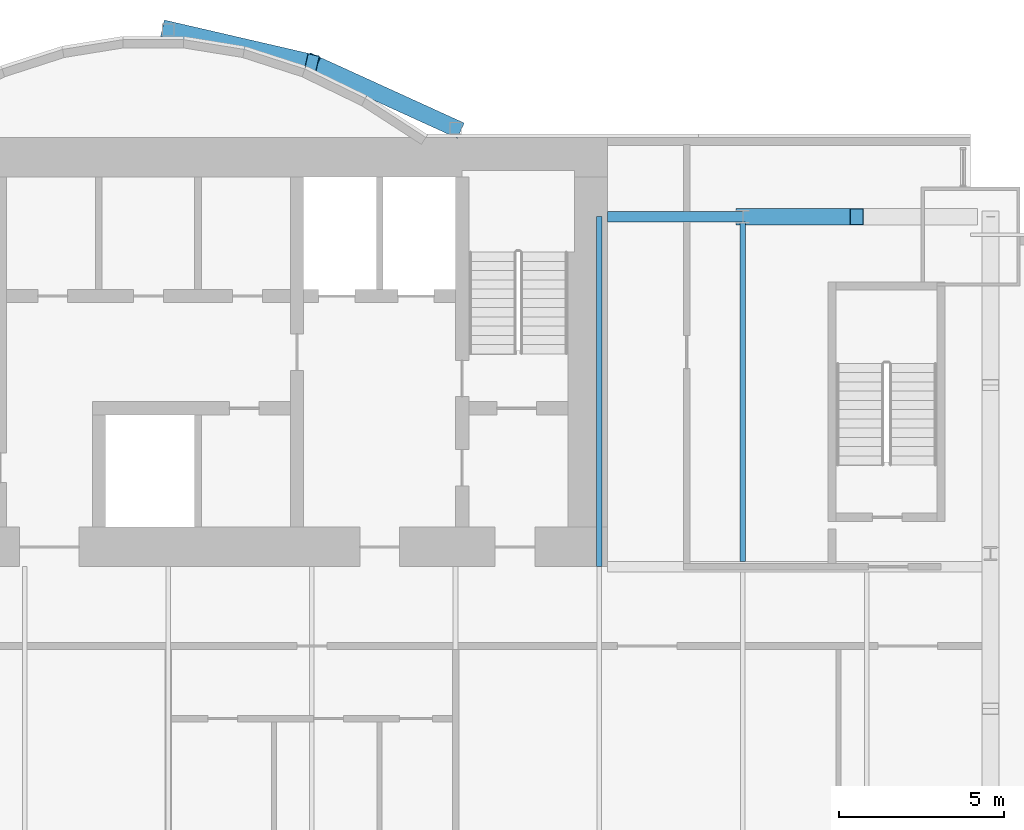
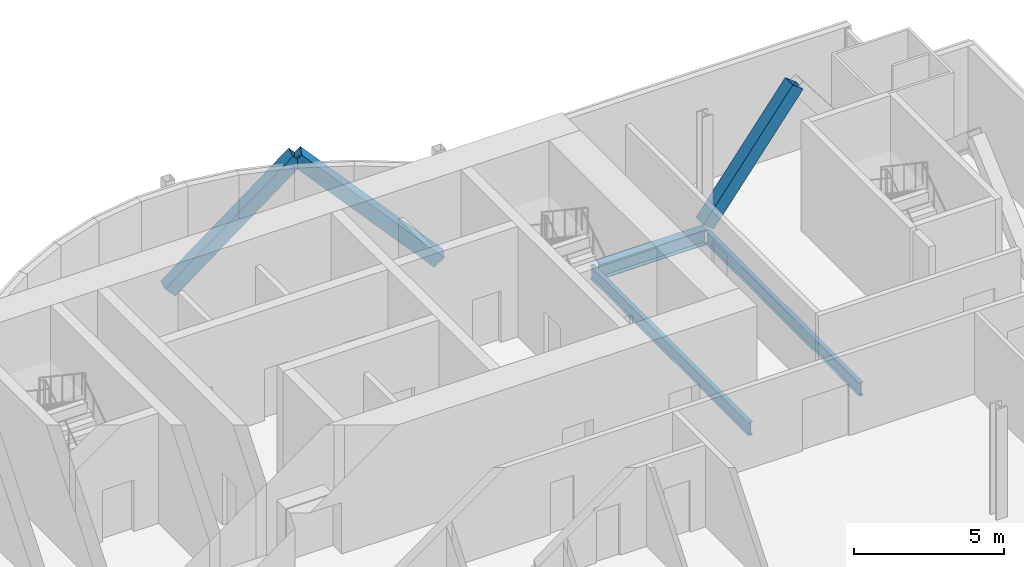
# One storey, part 11 of 21: 3 beams, 3 members.
"""IFC4 building model written with IfcOpenShell, lengths in metres."""

from ifc_helpers import new_model, si_unit, direction, frame, origin, origin_2d, place, context, subcontext, project, spatial, hollow_rectangle, i_section, extrude, material, material_profile, profile_set, type_object, element, save


model = new_model("IFC4")

# Units and contexts
model_context = context("Model", 3, precision=1e-05, world=origin(), true_north=direction((0.0, 1.0)))
body_context = subcontext(model_context, "Body", "Model", "MODEL_VIEW")
ifc_project = project(units=[si_unit("LENGTHUNIT", "METRE"), si_unit("AREAUNIT", "SQUARE_METRE"), si_unit("VOLUMEUNIT", "CUBIC_METRE"), si_unit("PLANEANGLEUNIT", "RADIAN"), si_unit("MASSUNIT", "GRAM", prefix="KILO")], contexts=[model_context])

# Site, building, storey
site_placement = place(None, origin())
site = spatial("IfcSite", under=ifc_project, at=site_placement, CompositionType="ELEMENT")
building_placement = place(site_placement, origin())
building = spatial("IfcBuilding", under=site, at=building_placement, Name="Bicima Exchange Tower", CompositionType="ELEMENT")
storey_placement = place(building_placement, frame((0.0, 0.0, 75.5)))
storey = spatial("IfcBuildingStorey", under=building, at=storey_placement, Name="L15", CompositionType="ELEMENT", Elevation=75.5)

# Beams
ifc_material_1 = material(Name="Steel ASTM A992 Gr 50", Category="steel")
ifc_material_profile_1 = material_profile(ifc_material_1, i_section(OverallWidth=0.165771484375, OverallDepth=0.5283203125, WebThickness=0.009765625, FlangeThickness=0.013671875, at=origin_2d()))
ifc_profile_set_1 = profile_set([ifc_material_profile_1], Name="Steel ASTM A992 Gr 50")
beam_type_1 = type_object("IfcBeamType", Name="Floor beam W21x50", PredefinedType="JOIST", material=ifc_profile_set_1)
beam_1_placement = place(storey_placement, frame((21.75, -2.39990234375, -0.414306640625), z_axis=(0.0, -1.0, 0.0), x_axis=(1.0, 0.0, 0.0)))
element("IfcBeam", 1, at=beam_1_placement, inside=storey, type_object=beam_type_1, Name="Floor beam", PredefinedType="JOIST", context=body_context, shape_type="SweptSolid", body=[
    extrude(i_section(OverallWidth=0.165771484375, OverallDepth=0.5283203125, WebThickness=0.009765625, FlangeThickness=0.013671875, at=origin_2d()), origin(), (0.0, 0.0, 1.0), 10.60009765625),
])
beam_2_placement = place(storey_placement, frame((26.10009765625, -2.5625, -0.414306640625), z_axis=(0.0, -1.0, 0.0), x_axis=(1.0, 0.0, 0.0)))
element("IfcBeam", 2, at=beam_2_placement, inside=storey, type_object=beam_type_1, Name="Floor beam", PredefinedType="JOIST", context=body_context, shape_type="SweptSolid", body=[
    extrude(i_section(OverallWidth=0.165771484375, OverallDepth=0.5283203125, WebThickness=0.009765625, FlangeThickness=0.013671875, at=origin_2d()), origin(), (0.0, 0.0, 1.0), 10.28515625),
])

# Members
ifc_material_2 = material(Name="Steel ASTM A572 Gr 50", Category="steel")
ifc_material_profile_2 = material_profile(ifc_material_2, hollow_rectangle(XDim=0.508056640625, YDim=0.508056640625, WallThickness=0.017822265625, at=origin_2d()))
ifc_profile_set_2 = profile_set([ifc_material_profile_2], Name="Steel ASTM A572 Gr 50")
member_type = type_object("IfcMemberType", Name="Mega brace HSS20x20x3/4", PredefinedType="BRACE", material=ifc_profile_set_2)
member_1_placement = place(storey_placement, frame((8.699951171875, 3.26904296875, 0.0), z_axis=(0.686212303743, -0.158786245837, 0.709858860848), x_axis=(0.225438503722, 0.974257399787, 0.0)))
element("IfcMember", 3, at=member_1_placement, inside=storey, type_object=member_type, Name="Mega brace rexo", PredefinedType="BRACE", context=body_context, shape_type="SweptSolid", body=[
    extrude(hollow_rectangle(XDim=0.508056640625, YDim=0.508056640625, WallThickness=0.017822265625, at=origin_2d()), origin(), (0.0, 0.0, 1.0), 6.33935546875),
])
member_2_placement = place(storey_placement, frame((17.39990234375, 0.278076171875, 0.0), z_axis=(-0.662507516739, 0.302231638101, 0.685375683254), x_axis=(-0.415045223819, -0.909800781592, 0.0)))
element("IfcMember", 4, at=member_2_placement, inside=storey, type_object=member_type, Name="Mega brace rexo", PredefinedType="BRACE", context=body_context, shape_type="SweptSolid", body=[
    extrude(hollow_rectangle(XDim=0.508056640625, YDim=0.508056640625, WallThickness=0.017822265625, at=origin_2d()), origin(), (0.0, 0.0, 1.0), 6.565673828125),
])
member_3_placement = place(storey_placement, frame((26.10009765625, -2.39990234375, 0.0), z_axis=(0.608426120198, 0.0, 0.793610519248), x_axis=(0.0, 1.0, 0.0)))
element("IfcMember", 5, at=member_3_placement, inside=storey, type_object=member_type, Name="Mega brace rear", PredefinedType="BRACE", context=body_context, shape_type="SweptSolid", body=[
    extrude(hollow_rectangle(XDim=0.508056640625, YDim=0.508056640625, WallThickness=0.017822265625, at=origin_2d()), origin(), (0.0, 0.0, 1.0), 5.670166015625),
])

# Beam
ifc_material_profile_3 = material_profile(ifc_material_1, i_section(OverallWidth=0.3251953125, OverallDepth=0.612060546875, WebThickness=0.0126953125, FlangeThickness=0.01904296875, at=origin_2d()))
ifc_profile_set_3 = profile_set([ifc_material_profile_3], Name="Steel ASTM A992 Gr 50")
beam_type_2 = type_object("IfcBeamType", Name="Rear girder W24x104", PredefinedType="BEAM", material=ifc_profile_set_3)
beam_3_placement = place(storey_placement, frame((22.0, -2.39990234375, -0.4560546875), z_axis=(1.0, 0.0, 0.0), x_axis=(0.0, 1.0, 0.0)))
element("IfcBeam", 6, at=beam_3_placement, inside=storey, type_object=beam_type_2, Name="Rear girder", PredefinedType="BEAM", context=body_context, shape_type="SweptSolid", body=[
    extrude(i_section(OverallWidth=0.3251953125, OverallDepth=0.612060546875, WebThickness=0.0126953125, FlangeThickness=0.01904296875, at=origin_2d()), origin(), (0.0, 0.0, 1.0), 4.10009765625),
])

save(model, "model.ifc")
